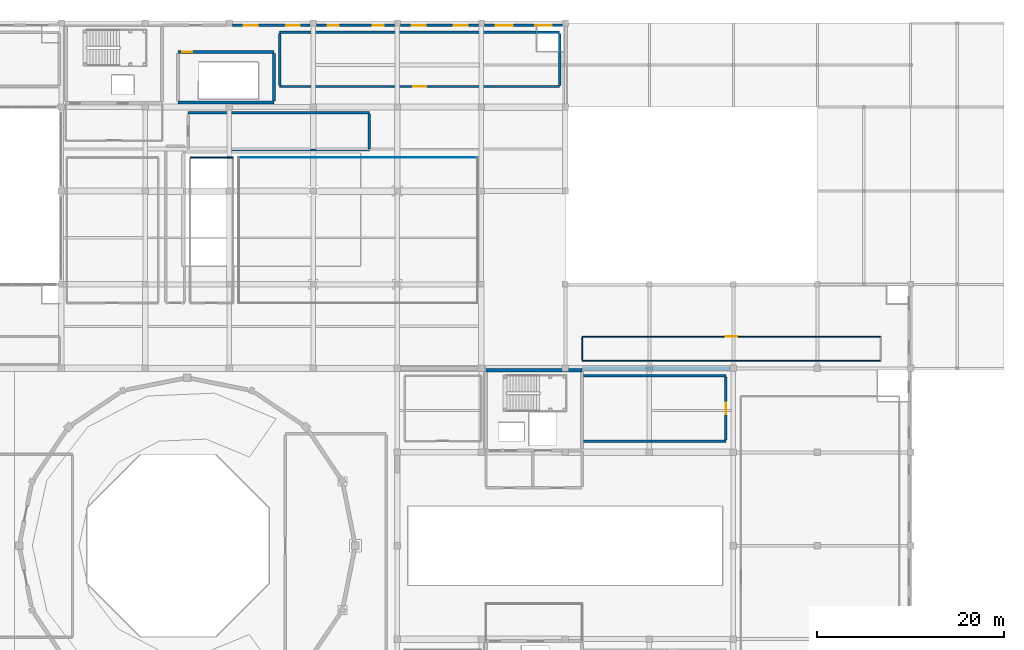
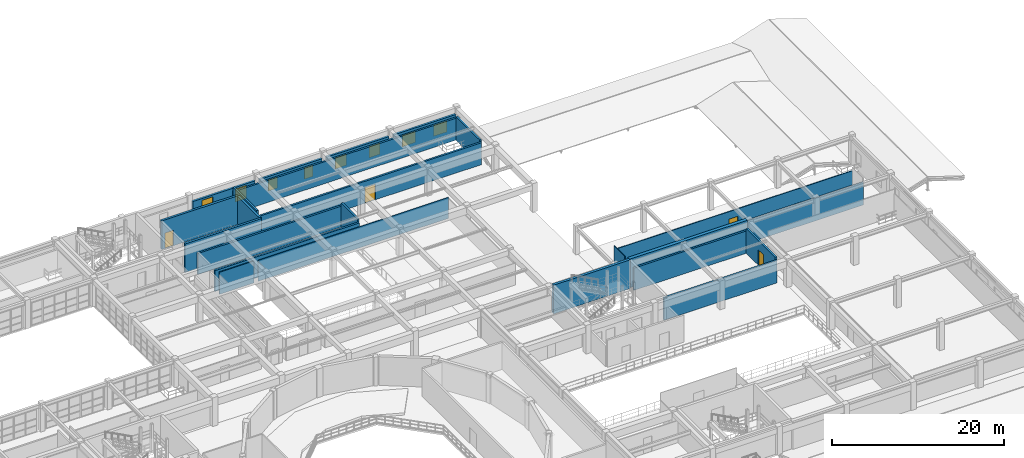
# One storey, part 99 of 110: 24 walls, 8 windows, 4 doors, 12 openings.
"""IFC4 building model written with IfcOpenShell, lengths in metres."""

import ifcopenshell
import ifcopenshell.guid

model = None  # the IFC model being written
_history = None  # IfcOwnerHistory: only IFC2X3 demands one
_inside = {}  # id of a spatial element -> (the spatial element, [elements in it])
_under = {}  # id of a project, library or spatial element -> (it, [spatial elements below it])
_declared = {}  # id of a project -> (the project, [libraries it declares])
_typed = {}  # id of a type object -> (the type object, [elements of that type])
_made_of = {}  # id of a material, layer set ... -> (it, [elements and type objects made of it])


def new_model(schema):
    """Start an empty IFC model of exactly this schema.

    Asked for "IFC4X3", IfcOpenShell would pick the latest addendum, in which some entities
    have other attributes; the version numbers below select the first issue.
    IFC2X3 requires an IfcOwnerHistory on every rooted entity: one is made here for all.
    """
    global model, _history
    if schema == "IFC4X3":
        model = ifcopenshell.file(schema_version=(4, 3, 0, 0))
    else:
        model = ifcopenshell.file(schema=schema)
    _inside.clear()
    _under.clear()
    _declared.clear()
    _typed.clear()
    _made_of.clear()
    _history = None
    if model.schema == "IFC2X3":
        org = make("IfcOrganization", Name="unknown")
        user = make(
            "IfcPersonAndOrganization",
            ThePerson=make("IfcPerson", FamilyName="unknown"),
            TheOrganization=org,
        )
        app = make(
            "IfcApplication",
            ApplicationDeveloper=org,
            Version="unknown",
            ApplicationFullName="unknown",
            ApplicationIdentifier="unknown",
        )
        _history = make(
            "IfcOwnerHistory",
            OwningUser=user,
            OwningApplication=app,
            ChangeAction="ADDED",
            CreationDate=0,
        )
    return model


def make(cls, **values):
    """One entity of the class cls with the attributes given. An attribute that is None is left unset."""
    return model.create_entity(
        cls, **{name: value for name, value in values.items() if value is not None}
    )


def rooted(cls, **values):
    """An entity with a GlobalId (a new one), such as an element, a storey or a relation."""
    return make(cls, GlobalId=ifcopenshell.guid.new(), OwnerHistory=_history, **values)


def si_unit(unit_type, name, prefix=None):
    """IfcSIUnit, for example si_unit("LENGTHUNIT", "METRE", prefix="MILLI")."""
    return make("IfcSIUnit", UnitType=unit_type, Prefix=prefix, Name=name)


def assignment(units):
    """IfcUnitAssignment: the units of a project."""
    return None if units is None else make("IfcUnitAssignment", Units=units)


def point(xyz):
    """IfcCartesianPoint."""
    return None if xyz is None else make("IfcCartesianPoint", Coordinates=xyz)


def direction(xyz):
    """IfcDirection."""
    return None if xyz is None else make("IfcDirection", DirectionRatios=xyz)


def frame(location, z_axis=None, x_axis=None):
    """IfcAxis2Placement3D, a coordinate frame: its origin and axes. An axis left out is left unset."""
    return make(
        "IfcAxis2Placement3D",
        Location=point(location),
        Axis=direction(z_axis),
        RefDirection=direction(x_axis),
    )


def frame_2d(location, x_axis=None):
    """IfcAxis2Placement2D, a coordinate frame in the plane: its origin and x axis."""
    return make(
        "IfcAxis2Placement2D", Location=point(location), RefDirection=direction(x_axis)
    )


def origin():
    """The frame at (0, 0, 0) with its axes left unset."""
    return frame((0.0, 0.0, 0.0))


def place(relative_to, where):
    """IfcLocalPlacement: puts the frame where relative to a parent placement (None: the world)."""
    return make(
        "IfcLocalPlacement", PlacementRelTo=relative_to, RelativePlacement=where
    )


def context(
    kind, dimensions, precision=None, world=None, true_north=None, identifier=None
):
    """IfcGeometricRepresentationContext, for example the 3D "Model" context."""
    return make(
        "IfcGeometricRepresentationContext",
        ContextIdentifier=identifier,
        ContextType=kind,
        CoordinateSpaceDimension=dimensions,
        Precision=precision,
        WorldCoordinateSystem=world,
        TrueNorth=true_north,
    )


def subcontext(parent, identifier, kind, view, scale=None):
    """IfcGeometricRepresentationSubContext, for example "Body" below "Model"."""
    return make(
        "IfcGeometricRepresentationSubContext",
        ContextIdentifier=identifier,
        ContextType=kind,
        ParentContext=parent,
        TargetScale=scale,
        TargetView=view,
    )


def project(units=None, contexts=None):
    """IfcProject with its units and contexts."""
    return rooted(
        "IfcProject",
        Name="project",
        RepresentationContexts=contexts,
        UnitsInContext=assignment(units),
    )


def spatial(cls, under=None, at=None, **own):
    """A site, building, storey or space (cls), placed at a placement, below another one or the project."""
    s = rooted(cls, ObjectPlacement=at, **own)
    if under is not None:
        _under.setdefault(under.id(), (under, []))[1].append(s)
    return s


def profile(cls, at=None, kind="AREA", **sizes):
    """A parametric profile (cls). Its sizes go by their IFC names, for example OverallWidth=200.0."""
    return make(cls, ProfileType=kind, Position=at, **sizes)


def rectangle(**sizes):
    """IfcRectangleProfileDef."""
    return profile("IfcRectangleProfileDef", **sizes)


def extrude(swept, where, along, depth):
    """IfcExtrudedAreaSolid: the profile swept, set in the frame where, extruded along a direction by depth."""
    return make(
        "IfcExtrudedAreaSolid",
        SweptArea=swept,
        Position=where,
        ExtrudedDirection=direction(along),
        Depth=depth,
    )


def shape(context_of_items, identifier, shape_type, items):
    """IfcShapeRepresentation: the items that make up one representation, for example the "Body"."""
    return make(
        "IfcShapeRepresentation",
        ContextOfItems=context_of_items,
        RepresentationIdentifier=identifier,
        RepresentationType=shape_type,
        Items=items,
    )


def material(Name=None, Category=None):
    """IfcMaterial."""
    return make("IfcMaterial", Name=Name, Category=Category)


def layer(
    of_material, thickness, ventilated=None, Name=None, Category=None, Priority=None
):
    """IfcMaterialLayer: one layer of a wall or slab, of a material (None: an air gap)."""
    return make(
        "IfcMaterialLayer",
        Material=of_material,
        LayerThickness=thickness,
        IsVentilated=ventilated,
        Name=Name,
        Category=Category,
        Priority=Priority,
    )


def layer_set(layers, Name=None):
    """IfcMaterialLayerSet."""
    return make("IfcMaterialLayerSet", MaterialLayers=layers, LayerSetName=Name)


def made_of(thing, what):
    """Note that an element or type object is made of a material, layer set ...; save() writes the relation."""
    if what is not None:
        _made_of.setdefault(what.id(), (what, []))[1].append(thing)
    return thing


def type_object(cls, material=None, **own):
    """A type object (cls), such as IfcWallType, which elements share."""
    return made_of(rooted(cls, **own), material)


def element(
    cls,
    number,
    at=None,
    inside=None,
    cuts=None,
    type_object=None,
    material=None,
    context=None,
    identifier="Body",
    shape_type=None,
    held_by="IfcProductDefinitionShape",
    body=None,
    shapes=None,
    **own,
):
    """One element of the class cls, such as IfcWall. Its Tag is "e" and its number.

    at: its placement. inside: the storey or other place that contains it. cuts: it is an
    opening in that element (IfcRelVoidsElement). A single representation is given by context,
    identifier, shape_type and body (its items); several are given by shapes. held_by: the class
    of the entity that holds the representations. save() writes the other relations.
    """
    e = rooted(cls, Tag="e%d" % number, ObjectPlacement=at, **own)
    if body is not None:
        shapes = [shape(context, identifier, shape_type, body)]
    if shapes is not None:
        e.Representation = make(held_by, Representations=shapes)
    if inside is not None:
        _inside.setdefault(inside.id(), (inside, []))[1].append(e)
    if cuts is not None:
        rooted(
            "IfcRelVoidsElement", RelatingBuildingElement=cuts, RelatedOpeningElement=e
        )
    if type_object is not None:
        _typed.setdefault(type_object.id(), (type_object, []))[1].append(e)
    return made_of(e, material)


def fill(opening, filler):
    """IfcRelFillsElement: the door or window that sits in an opening."""
    return rooted(
        "IfcRelFillsElement",
        RelatingOpeningElement=opening,
        RelatedBuildingElement=filler,
    )


def aggregate(whole, parts):
    """IfcRelAggregates: a whole, such as a stair, and the parts it consists of."""
    return rooted("IfcRelAggregates", RelatingObject=whole, RelatedObjects=parts)


def save(model, path):
    """Write the relations noted so far, then the file.

    IfcRelAggregates (storeys below a building ...), IfcRelContainedInSpatialStructure (elements
    in a storey), IfcRelDefinesByType, IfcRelAssociatesMaterial and IfcRelDeclares: one each for
    every whole, place, type object, material and project.
    """
    for whole, parts in _under.values():
        aggregate(whole, parts)
    for where, things in _inside.values():
        rooted(
            "IfcRelContainedInSpatialStructure",
            RelatedElements=things,
            RelatingStructure=where,
        )
    for kind, things in _typed.values():
        rooted("IfcRelDefinesByType", RelatedObjects=things, RelatingType=kind)
    for what, things in _made_of.values():
        rooted("IfcRelAssociatesMaterial", RelatedObjects=things, RelatingMaterial=what)
    for by, libraries in _declared.values():
        rooted("IfcRelDeclares", RelatingContext=by, RelatedDefinitions=libraries)
    model.write(path)


model = new_model("IFC4")

# Units and contexts
model_context = context("Model", 3, precision=1e-05, world=origin(), true_north=direction((0.0, 1.0)))
body_context = subcontext(model_context, "Body", "Model", "MODEL_VIEW")
ifc_project = project(units=[si_unit("LENGTHUNIT", "METRE"), si_unit("AREAUNIT", "SQUARE_METRE"), si_unit("VOLUMEUNIT", "CUBIC_METRE"), si_unit("PLANEANGLEUNIT", "RADIAN"), si_unit("MASSUNIT", "GRAM", prefix="KILO")], contexts=[model_context])

# Site, building, storey
site_placement = place(None, origin())
site = spatial("IfcSite", under=ifc_project, at=site_placement, CompositionType="ELEMENT")
building_placement = place(site_placement, origin())
building = spatial("IfcBuilding", under=site, at=building_placement, Name="Miravela Opera House", CompositionType="ELEMENT")
storey_placement = place(building_placement, frame((0.0, 0.0, 13.60009765625)))
storey = spatial("IfcBuildingStorey", under=building, at=storey_placement, Name="L03", CompositionType="ELEMENT", Elevation=13.60009765625)

# Wall, openings, windows
ifc_material_1 = material(Name="Insulated cream lime-stuccoed masonry", Category="masonry")
ifc_layer_1 = layer(ifc_material_1, 0.2900390625)
ifc_layer_set_1 = layer_set([ifc_layer_1])
wall_type_1 = type_object("IfcWallType", Name="ARC-EW-STUCCO-290", PredefinedType="STANDARD", material=ifc_layer_set_1)
wall_1_placement = place(storey_placement, frame((81.324951171875, 111.75, 0.0), z_axis=(0.0, 0.0, 1.0), x_axis=(1.0, 0.0, 0.0)))
wall_1 = element("IfcWall", 1, at=wall_1_placement, inside=storey, type_object=wall_type_1, Name="Spanish Colonial Stucco Facade Wall L03-039", PredefinedType="STANDARD", context=body_context, shape_type="SweptSolid", body=[
    extrude(rectangle(XDim=8.35009765625, YDim=0.2900390625, at=frame_2d((4.175048828125, 0.0))), origin(), (0.0, 0.0, 1.0), 3.06982421875),
])
opening_1_placement = place(wall_1_placement, frame((1.22509765625, 0.0, 0.89990234375)))
opening_1 = element("IfcOpeningElement", 2, at=opening_1_placement, cuts=wall_1, Name="Opening W-36", PredefinedType="OPENING", context=body_context, shape_type="SweptSolid", body=[
    extrude(rectangle(XDim=1.47998046875, YDim=1.89990234375, at=frame_2d((0.739990234375, 0.949951171875))), frame((0.0, 0.155029296875, 0.0), z_axis=(0.0, -1.0, 0.0), x_axis=(1.0, 0.0, 0.0)), (0.0, 0.0, 1.0), 0.31005859375),
])
opening_2_placement = place(wall_1_placement, frame((5.77001953125, 0.0, 0.89990234375)))
opening_2 = element("IfcOpeningElement", 3, at=opening_2_placement, cuts=wall_1, Name="Opening W-36", PredefinedType="OPENING", context=body_context, shape_type="SweptSolid", body=[
    extrude(rectangle(XDim=1.47998046875, YDim=1.89990234375, at=frame_2d((0.739990234375, 0.949951171875))), frame((0.0, 0.155029296875, 0.0), z_axis=(0.0, -1.0, 0.0), x_axis=(1.0, 0.0, 0.0)), (0.0, 0.0, 1.0), 0.31005859375),
])
ifc_material_2 = material(Name="Bronze-anodised aluminium and acoustic low-E glass", Category="aluminium")
window_type_1 = type_object("IfcWindowType", Name="ARC-WIN-36", PartitioningType="DOUBLE_PANEL_VERTICAL", PredefinedType="WINDOW", material=ifc_material_2)
window_1_placement = place(opening_1_placement, origin())
window_1 = element("IfcWindow", 4, at=window_1_placement, inside=storey, type_object=window_type_1, Name="Window W-36 #098", OverallHeight=1.89990234375, OverallWidth=1.47998046875, PartitioningType="DOUBLE_PANEL_VERTICAL", PredefinedType="WINDOW", context=body_context, shape_type="SweptSolid", body=[
    extrude(rectangle(XDim=1.47998046875, YDim=1.89990234375, at=frame_2d((0.739990234375, 0.949951171875))), frame((0.0, 0.030029296875, 0.0), z_axis=(0.0, -1.0, 0.0), x_axis=(1.0, 0.0, 0.0)), (0.0, 0.0, 1.0), 0.06005859375),
])
fill(opening_1, window_1)
window_2_placement = place(opening_2_placement, origin())
window_2 = element("IfcWindow", 5, at=window_2_placement, inside=storey, type_object=window_type_1, Name="Window W-36 #099", OverallHeight=1.89990234375, OverallWidth=1.47998046875, PartitioningType="DOUBLE_PANEL_VERTICAL", PredefinedType="WINDOW", context=body_context, shape_type="SweptSolid", body=[
    extrude(rectangle(XDim=1.47998046875, YDim=1.89990234375, at=frame_2d((0.739990234375, 0.949951171875))), frame((0.0, 0.030029296875, 0.0), z_axis=(0.0, -1.0, 0.0), x_axis=(1.0, 0.0, 0.0)), (0.0, 0.0, 1.0), 0.06005859375),
])
fill(opening_2, window_2)

wall_2_placement = place(storey_placement, frame((90.324951171875, 111.75, 0.0), z_axis=(0.0, 0.0, 1.0), x_axis=(1.0, 0.0, 0.0)))
wall_2 = element("IfcWall", 6, at=wall_2_placement, inside=storey, type_object=wall_type_1, Name="Spanish Colonial Stucco Facade Wall L03-040", PredefinedType="STANDARD", context=body_context, shape_type="SweptSolid", body=[
    extrude(rectangle(XDim=8.35009765625, YDim=0.2900390625, at=frame_2d((4.175048828125, 0.0))), origin(), (0.0, 0.0, 1.0), 3.06982421875),
])
opening_3_placement = place(wall_2_placement, frame((1.22509765625, 0.0, 0.89990234375)))
opening_3 = element("IfcOpeningElement", 7, at=opening_3_placement, cuts=wall_2, Name="Opening W-11", PredefinedType="OPENING", context=body_context, shape_type="SweptSolid", body=[
    extrude(rectangle(XDim=1.199951171875, YDim=1.60009765625, at=frame_2d((0.60009765625, 0.800048828125))), frame((0.0, 0.155029296875, 0.0), z_axis=(0.0, -1.0, 0.0), x_axis=(1.0, 0.0, 0.0)), (0.0, 0.0, 1.0), 0.31005859375),
])
opening_4_placement = place(wall_2_placement, frame((6.050048828125, 0.0, 0.89990234375)))
opening_4 = element("IfcOpeningElement", 8, at=opening_4_placement, cuts=wall_2, Name="Opening W-11", PredefinedType="OPENING", context=body_context, shape_type="SweptSolid", body=[
    extrude(rectangle(XDim=1.199951171875, YDim=1.60009765625, at=frame_2d((0.60009765625, 0.800048828125))), frame((0.0, 0.155029296875, 0.0), z_axis=(0.0, -1.0, 0.0), x_axis=(1.0, 0.0, 0.0)), (0.0, 0.0, 1.0), 0.31005859375),
])
window_type_2 = type_object("IfcWindowType", Name="ARC-WIN-11", PartitioningType="SINGLE_PANEL", PredefinedType="WINDOW", material=ifc_material_2)
window_3_placement = place(opening_3_placement, origin())
window_3 = element("IfcWindow", 9, at=window_3_placement, inside=storey, type_object=window_type_2, Name="Window W-11 #100", OverallHeight=1.60009765625, OverallWidth=1.199951171875, PartitioningType="SINGLE_PANEL", PredefinedType="WINDOW", context=body_context, shape_type="SweptSolid", body=[
    extrude(rectangle(XDim=1.199951171875, YDim=1.60009765625, at=frame_2d((0.60009765625, 0.800048828125))), frame((0.0, 0.030029296875, 0.0), z_axis=(0.0, -1.0, 0.0), x_axis=(1.0, 0.0, 0.0)), (0.0, 0.0, 1.0), 0.06005859375),
])
fill(opening_3, window_3)
window_4_placement = place(opening_4_placement, origin())
window_4 = element("IfcWindow", 10, at=window_4_placement, inside=storey, type_object=window_type_2, Name="Window W-11 #101", OverallHeight=1.60009765625, OverallWidth=1.199951171875, PartitioningType="SINGLE_PANEL", PredefinedType="WINDOW", context=body_context, shape_type="SweptSolid", body=[
    extrude(rectangle(XDim=1.199951171875, YDim=1.60009765625, at=frame_2d((0.60009765625, 0.800048828125))), frame((0.0, 0.030029296875, 0.0), z_axis=(0.0, -1.0, 0.0), x_axis=(1.0, 0.0, 0.0)), (0.0, 0.0, 1.0), 0.06005859375),
])
fill(opening_4, window_4)

wall_3_placement = place(storey_placement, frame((99.324951171875, 111.75, 0.0), z_axis=(0.0, 0.0, 1.0), x_axis=(1.0, 0.0, 0.0)))
wall_3 = element("IfcWall", 11, at=wall_3_placement, inside=storey, type_object=wall_type_1, Name="Spanish Colonial Stucco Facade Wall L03-041", PredefinedType="STANDARD", context=body_context, shape_type="SweptSolid", body=[
    extrude(rectangle(XDim=8.35009765625, YDim=0.2900390625, at=frame_2d((4.175048828125, 0.0))), origin(), (0.0, 0.0, 1.0), 3.06982421875),
])
opening_5_placement = place(wall_3_placement, frame((1.22509765625, 0.0, 0.89990234375)))
opening_5 = element("IfcOpeningElement", 12, at=opening_5_placement, cuts=wall_3, Name="Opening W-12", PredefinedType="OPENING", context=body_context, shape_type="SweptSolid", body=[
    extrude(rectangle(XDim=1.5, YDim=1.60009765625, at=frame_2d((0.75, 0.800048828125))), frame((0.0, 0.155029296875, 0.0), z_axis=(0.0, -1.0, 0.0), x_axis=(1.0, 0.0, 0.0)), (0.0, 0.0, 1.0), 0.31005859375),
])
opening_6_placement = place(wall_3_placement, frame((5.75, 0.0, 0.89990234375)))
opening_6 = element("IfcOpeningElement", 13, at=opening_6_placement, cuts=wall_3, Name="Opening W-12", PredefinedType="OPENING", context=body_context, shape_type="SweptSolid", body=[
    extrude(rectangle(XDim=1.5, YDim=1.60009765625, at=frame_2d((0.75, 0.800048828125))), frame((0.0, 0.155029296875, 0.0), z_axis=(0.0, -1.0, 0.0), x_axis=(1.0, 0.0, 0.0)), (0.0, 0.0, 1.0), 0.31005859375),
])
window_type_3 = type_object("IfcWindowType", Name="ARC-WIN-12", PartitioningType="DOUBLE_PANEL_VERTICAL", PredefinedType="WINDOW", material=ifc_material_2)
window_5_placement = place(opening_5_placement, origin())
window_5 = element("IfcWindow", 14, at=window_5_placement, inside=storey, type_object=window_type_3, Name="Window W-12 #102", OverallHeight=1.60009765625, OverallWidth=1.5, PartitioningType="DOUBLE_PANEL_VERTICAL", PredefinedType="WINDOW", context=body_context, shape_type="SweptSolid", body=[
    extrude(rectangle(XDim=1.5, YDim=1.60009765625, at=frame_2d((0.75, 0.800048828125))), frame((0.0, 0.030029296875, 0.0), z_axis=(0.0, -1.0, 0.0), x_axis=(1.0, 0.0, 0.0)), (0.0, 0.0, 1.0), 0.06005859375),
])
fill(opening_5, window_5)
window_6_placement = place(opening_6_placement, origin())
window_6 = element("IfcWindow", 15, at=window_6_placement, inside=storey, type_object=window_type_3, Name="Window W-12 #103", OverallHeight=1.60009765625, OverallWidth=1.5, PartitioningType="DOUBLE_PANEL_VERTICAL", PredefinedType="WINDOW", context=body_context, shape_type="SweptSolid", body=[
    extrude(rectangle(XDim=1.5, YDim=1.60009765625, at=frame_2d((0.75, 0.800048828125))), frame((0.0, 0.030029296875, 0.0), z_axis=(0.0, -1.0, 0.0), x_axis=(1.0, 0.0, 0.0)), (0.0, 0.0, 1.0), 0.06005859375),
])
fill(opening_6, window_6)

wall_4_placement = place(storey_placement, frame((108.324951171875, 111.75, 0.0), z_axis=(0.0, 0.0, 1.0), x_axis=(1.0, 0.0, 0.0)))
wall_4 = element("IfcWall", 16, at=wall_4_placement, inside=storey, type_object=wall_type_1, Name="Spanish Colonial Stucco Facade Wall L03-042", PredefinedType="STANDARD", context=body_context, shape_type="SweptSolid", body=[
    extrude(rectangle(XDim=8.35009765625, YDim=0.2900390625, at=frame_2d((4.175048828125, 0.0))), origin(), (0.0, 0.0, 1.0), 3.06982421875),
])
opening_7_placement = place(wall_4_placement, frame((1.22509765625, 0.0, 0.89990234375)))
opening_7 = element("IfcOpeningElement", 17, at=opening_7_placement, cuts=wall_4, Name="Opening W-13", PredefinedType="OPENING", context=body_context, shape_type="SweptSolid", body=[
    extrude(rectangle(XDim=1.800048828125, YDim=1.60009765625, at=frame_2d((0.89990234375, 0.800048828125))), frame((0.0, 0.155029296875, 0.0), z_axis=(0.0, -1.0, 0.0), x_axis=(1.0, 0.0, 0.0)), (0.0, 0.0, 1.0), 0.31005859375),
])
opening_8_placement = place(wall_4_placement, frame((5.449951171875, 0.0, 0.89990234375)))
opening_8 = element("IfcOpeningElement", 18, at=opening_8_placement, cuts=wall_4, Name="Opening W-13", PredefinedType="OPENING", context=body_context, shape_type="SweptSolid", body=[
    extrude(rectangle(XDim=1.800048828125, YDim=1.60009765625, at=frame_2d((0.89990234375, 0.800048828125))), frame((0.0, 0.155029296875, 0.0), z_axis=(0.0, -1.0, 0.0), x_axis=(1.0, 0.0, 0.0)), (0.0, 0.0, 1.0), 0.31005859375),
])
window_type_4 = type_object("IfcWindowType", Name="ARC-WIN-13", PartitioningType="DOUBLE_PANEL_VERTICAL", PredefinedType="WINDOW", material=ifc_material_2)
window_7_placement = place(opening_7_placement, origin())
window_7 = element("IfcWindow", 19, at=window_7_placement, inside=storey, type_object=window_type_4, Name="Window W-13 #104", OverallHeight=1.60009765625, OverallWidth=1.800048828125, PartitioningType="DOUBLE_PANEL_VERTICAL", PredefinedType="WINDOW", context=body_context, shape_type="SweptSolid", body=[
    extrude(rectangle(XDim=1.800048828125, YDim=1.60009765625, at=frame_2d((0.89990234375, 0.800048828125))), frame((0.0, 0.030029296875, 0.0), z_axis=(0.0, -1.0, 0.0), x_axis=(1.0, 0.0, 0.0)), (0.0, 0.0, 1.0), 0.06005859375),
])
fill(opening_7, window_7)
window_8_placement = place(opening_8_placement, origin())
window_8 = element("IfcWindow", 20, at=window_8_placement, inside=storey, type_object=window_type_4, Name="Window W-13 #105", OverallHeight=1.60009765625, OverallWidth=1.800048828125, PartitioningType="DOUBLE_PANEL_VERTICAL", PredefinedType="WINDOW", context=body_context, shape_type="SweptSolid", body=[
    extrude(rectangle(XDim=1.800048828125, YDim=1.60009765625, at=frame_2d((0.89990234375, 0.800048828125))), frame((0.0, 0.030029296875, 0.0), z_axis=(0.0, -1.0, 0.0), x_axis=(1.0, 0.0, 0.0)), (0.0, 0.0, 1.0), 0.06005859375),
])
fill(opening_8, window_8)

# Walls
ifc_material_3 = material(Name="Acoustic metal-stud gypsum partition")
ifc_layer_2 = layer(ifc_material_3, 0.090087890625)
ifc_layer_set_2 = layer_set([ifc_layer_2])
wall_type_2 = type_object("IfcWallType", Name="ARC-PT-090", PredefinedType="PARTITIONING", material=ifc_layer_set_2)
wall_5_placement = place(storey_placement, frame((82.0, 97.60009765625, 0.0), z_axis=(0.0, 0.0, 1.0), x_axis=(1.0, 0.0, 0.0)))
element("IfcWall", 21, at=wall_5_placement, inside=storey, type_object=wall_type_2, Name="Music Repertoire Library and Reading Hall Partition North", PredefinedType="PARTITIONING", context=body_context, shape_type="SweptSolid", body=[
    extrude(rectangle(XDim=25.60009765625, YDim=0.090087890625, at=frame_2d((12.800048828125, 0.0))), origin(), (0.0, 0.0, 1.0), 2.969970703125),
])
ifc_material_4 = material(Name="Double-layer acoustic gypsum partition")
ifc_layer_3 = layer(ifc_material_4, 0.110107421875)
ifc_layer_set_3 = layer_set([ifc_layer_3])
wall_type_3 = type_object("IfcWallType", Name="ARC-PT-110", PredefinedType="PARTITIONING", material=ifc_layer_set_3)
wall_6_placement = place(storey_placement, frame((118.800048828125, 75.800048828125, 0.0), z_axis=(0.0, 0.0, 1.0), x_axis=(1.0, 0.0, 0.0)))
element("IfcWall", 22, at=wall_6_placement, inside=storey, type_object=wall_type_3, Name="Orchestra Ensemble Practice Suite Partition South", PredefinedType="PARTITIONING", context=body_context, shape_type="SweptSolid", body=[
    extrude(rectangle(XDim=32.0, YDim=0.110107421875, at=frame_2d((16.0, 0.0))), origin(), (0.0, 0.0, 1.0), 3.27685546875),
])

# Wall, opening, door
wall_7_placement = place(storey_placement, frame((118.800048828125, 78.39990234375, 0.0), z_axis=(0.0, 0.0, 1.0), x_axis=(1.0, 0.0, 0.0)))
wall_7 = element("IfcWall", 23, at=wall_7_placement, inside=storey, type_object=wall_type_3, Name="Orchestra Ensemble Practice Suite Partition North", PredefinedType="PARTITIONING", context=body_context, shape_type="SweptSolid", body=[
    extrude(rectangle(XDim=32.0, YDim=0.110107421875, at=frame_2d((16.0, 0.0))), origin(), (0.0, 0.0, 1.0), 3.27685546875),
])
opening_9_placement = place(wall_7_placement, frame((15.39990234375, 0.0, 0.0)))
opening_9 = element("IfcOpeningElement", 24, at=opening_9_placement, cuts=wall_7, Name="Opening ID-04", PredefinedType="OPENING", context=body_context, shape_type="SweptSolid", body=[
    extrude(rectangle(XDim=1.199951171875, YDim=2.199951171875, at=frame_2d((0.60009765625, 1.10009765625))), frame((0.0, 0.06494140625, 0.0), z_axis=(0.0, -1.0, 0.0), x_axis=(1.0, 0.0, 0.0)), (0.0, 0.0, 1.0), 0.130126953125),
])
ifc_material_5 = material(Name="Wide acoustic ensemble door")
door_type_1 = type_object("IfcDoorType", Name="ARC-DR-1200X2200", OperationType="NOTDEFINED", PredefinedType="DOOR", material=ifc_material_5)
door_1_placement = place(opening_9_placement, origin())
door_1 = element("IfcDoor", 25, at=door_1_placement, inside=storey, type_object=door_type_1, Name="Orchestra Ensemble Practice Suite Entry Door IDR-L03-0277", OperationType="SINGLE_SWING_LEFT", OverallHeight=2.199951171875, OverallWidth=1.199951171875, PredefinedType="DOOR", context=body_context, shape_type="SweptSolid", body=[
    extrude(rectangle(XDim=1.199951171875, YDim=2.199951171875, at=frame_2d((0.60009765625, 1.10009765625))), frame((0.0, 0.02490234375, 0.0), z_axis=(0.0, -1.0, 0.0), x_axis=(1.0, 0.0, 0.0)), (0.0, 0.0, 1.0), 0.050048828125),
])
fill(opening_9, door_1)

# Walls
wall_8_placement = place(storey_placement, frame((118.800048828125, 75.85498046875, 0.0), z_axis=(0.0, 0.0, 1.0), x_axis=(0.0, 1.0, 0.0)))
element("IfcWall", 26, at=wall_8_placement, inside=storey, type_object=wall_type_3, Name="Orchestra Ensemble Practice Suite Partition West", PredefinedType="PARTITIONING", context=body_context, shape_type="SweptSolid", body=[
    extrude(rectangle(XDim=2.489990234375, YDim=0.110107421875, at=frame_2d((1.2451171875, 0.0))), origin(), (0.0, 0.0, 1.0), 3.83984375),
])
ifc_material_6 = material(Name="Fire-rated acoustic gypsum partition")
ifc_layer_4 = layer(ifc_material_6, 0.1298828125)
ifc_layer_set_4 = layer_set([ifc_layer_4])
wall_type_4 = type_object("IfcWallType", Name="ARC-PT-130", PredefinedType="PARTITIONING", material=ifc_layer_set_4)
wall_9_placement = place(storey_placement, frame((76.800048828125, 97.60009765625, 0.0), z_axis=(0.0, 0.0, 1.0), x_axis=(1.0, 0.0, 0.0)))
element("IfcWall", 27, at=wall_9_placement, inside=storey, type_object=wall_type_4, Name="Costume Textile Archive Room Partition North", PredefinedType="PARTITIONING", context=body_context, shape_type="SweptSolid", body=[
    extrude(rectangle(XDim=4.599853515625, YDim=0.1298828125, at=frame_2d((2.2998046875, 0.0))), origin(), (0.0, 0.0, 1.0), 3.119873046875),
])
ifc_material_7 = material(Name="Firefighting lobby compartment wall")
ifc_layer_5 = layer(ifc_material_7, 0.25)
ifc_layer_set_5 = layer_set([ifc_layer_5])
wall_type_5 = type_object("IfcWallType", Name="ARC-PT-220", PredefinedType="PARTITIONING", material=ifc_layer_set_5)
for number, where, z_axis, x_axis, name in (
    (28, (118.97509765625, 67.199951171875, 0.0), (0.0, 0.0, 1.0), (1.0, 0.0, 0.0), "Stage Fly Counterweight Gallery L03 Partition South"),
    (29, (118.97509765625, 74.199951171875, 0.0), (0.0, 0.0, 1.0), (1.0, 0.0, 0.0), "Stage Fly Counterweight Gallery L03 Partition North"),
):
    element("IfcWall", number, at=place(storey_placement, frame(where, z_axis=z_axis, x_axis=x_axis)), inside=storey, type_object=wall_type_5, Name=name, PredefinedType="PARTITIONING", context=body_context, shape_type="SweptSolid", body=[
        extrude(rectangle(XDim=15.224853515625, YDim=0.25, at=frame_2d((7.6123046875, 0.0))), origin(), (0.0, 0.0, 1.0), 3.169921875),
    ])

# Wall, opening, door
wall_10_placement = place(storey_placement, frame((134.199951171875, 67.324951171875, 0.0), z_axis=(0.0, 0.0, 1.0), x_axis=(0.0, 1.0, 0.0)))
wall_10 = element("IfcWall", 30, at=wall_10_placement, inside=storey, type_object=wall_type_5, Name="Stage Fly Counterweight Gallery L03 Partition East", PredefinedType="PARTITIONING", context=body_context, shape_type="SweptSolid", body=[
    extrude(rectangle(XDim=6.75, YDim=0.25, at=frame_2d((3.375, 0.0))), origin(), (0.0, 0.0, 1.0), 3.516845703125),
])
opening_10_placement = place(wall_10_placement, frame((2.77490234375, 0.0, 0.0)))
opening_10 = element("IfcOpeningElement", 31, at=opening_10_placement, cuts=wall_10, Name="Opening FD-02", PredefinedType="OPENING", context=body_context, shape_type="SweptSolid", body=[
    extrude(rectangle(XDim=1.199951171875, YDim=2.199951171875, at=frame_2d((0.60009765625, 1.10009765625))), frame((0.0, 0.135009765625, 0.0), z_axis=(0.0, -1.0, 0.0), x_axis=(1.0, 0.0, 0.0)), (0.0, 0.0, 1.0), 0.27001953125),
])
ifc_material_8 = material(Name="Fire-rated gallery/plant exit door")
door_type_2 = type_object("IfcDoorType", Name="ARC-FD-1200X2200", OperationType="NOTDEFINED", PredefinedType="DOOR", material=ifc_material_8)
door_2_placement = place(opening_10_placement, origin())
door_2 = element("IfcDoor", 32, at=door_2_placement, inside=storey, type_object=door_type_2, Name="Stage Fly Counterweight Gallery L03 Entry Door IDR-L03-0272", OperationType="SINGLE_SWING_LEFT", OverallHeight=2.199951171875, OverallWidth=1.199951171875, PredefinedType="DOOR", context=body_context, shape_type="SweptSolid", body=[
    extrude(rectangle(XDim=1.199951171875, YDim=2.199951171875, at=frame_2d((0.60009765625, 1.10009765625))), frame((0.0, 0.02490234375, 0.0), z_axis=(0.0, -1.0, 0.0), x_axis=(1.0, 0.0, 0.0)), (0.0, 0.0, 1.0), 0.050048828125),
])
fill(opening_10, door_2)

wall_11_placement = place(storey_placement, frame((86.39990234375, 105.199951171875, 0.0), z_axis=(0.0, 0.0, 1.0), x_axis=(1.0, 0.0, 0.0)))
wall_11 = element("IfcWall", 33, at=wall_11_placement, inside=storey, type_object=wall_type_5, Name="Resident Composer Studio Partition South", PredefinedType="PARTITIONING", context=body_context, shape_type="SweptSolid", body=[
    extrude(rectangle(XDim=30.0, YDim=0.25, at=frame_2d((15.0, 0.0))), origin(), (0.0, 0.0, 1.0), 3.119873046875),
])
opening_11_placement = place(wall_11_placement, frame((14.300048828125, 0.0, 0.0)))
opening_11 = element("IfcOpeningElement", 34, at=opening_11_placement, cuts=wall_11, Name="Opening ID-05", PredefinedType="OPENING", context=body_context, shape_type="SweptSolid", body=[
    extrude(rectangle(XDim=1.39990234375, YDim=2.199951171875, at=frame_2d((0.699951171875, 1.10009765625))), frame((0.0, 0.135009765625, 0.0), z_axis=(0.0, -1.0, 0.0), x_axis=(1.0, 0.0, 0.0)), (0.0, 0.0, 1.0), 0.27001953125),
])
ifc_material_9 = material(Name="Double-leaf glazed mahogany salon door")
door_type_3 = type_object("IfcDoorType", Name="ARC-DR-1400X2200", OperationType="NOTDEFINED", PredefinedType="DOOR", material=ifc_material_9)
door_3_placement = place(opening_11_placement, origin())
door_3 = element("IfcDoor", 35, at=door_3_placement, inside=storey, type_object=door_type_3, Name="Resident Composer Studio Entry Door IDR-L03-0284", OperationType="DOUBLE_DOOR_SINGLE_SWING", OverallHeight=2.199951171875, OverallWidth=1.39990234375, PredefinedType="DOOR", context=body_context, shape_type="SweptSolid", body=[
    extrude(rectangle(XDim=1.39990234375, YDim=2.199951171875, at=frame_2d((0.699951171875, 1.10009765625))), frame((0.0, 0.02490234375, 0.0), z_axis=(0.0, -1.0, 0.0), x_axis=(1.0, 0.0, 0.0)), (0.0, 0.0, 1.0), 0.050048828125),
])
fill(opening_11, door_3)

# Walls
wall_12_placement = place(storey_placement, frame((86.39990234375, 111.0, 0.0), z_axis=(0.0, 0.0, 1.0), x_axis=(1.0, 0.0, 0.0)))
element("IfcWall", 36, at=wall_12_placement, inside=storey, type_object=wall_type_5, Name="Resident Composer Studio Partition North", PredefinedType="PARTITIONING", context=body_context, shape_type="SweptSolid", body=[
    extrude(rectangle(XDim=30.0, YDim=0.25, at=frame_2d((15.0, 0.0))), origin(), (0.0, 0.0, 1.0), 3.119873046875),
])
wall_13_placement = place(storey_placement, frame((86.39990234375, 105.324951171875, 0.0), z_axis=(0.0, 0.0, 1.0), x_axis=(0.0, 1.0, 0.0)))
element("IfcWall", 37, at=wall_13_placement, inside=storey, type_object=wall_type_5, Name="Resident Composer Studio Partition West", PredefinedType="PARTITIONING", context=body_context, shape_type="SweptSolid", body=[
    extrude(rectangle(XDim=5.550048828125, YDim=0.25, at=frame_2d((2.77490234375, 0.0))), origin(), (0.0, 0.0, 1.0), 3.83984375),
])
wall_14_placement = place(storey_placement, frame((116.39990234375, 105.324951171875, 0.0), z_axis=(0.0, 0.0, 1.0), x_axis=(0.0, 1.0, 0.0)))
element("IfcWall", 38, at=wall_14_placement, inside=storey, type_object=wall_type_5, Name="Resident Composer Studio Partition East", PredefinedType="PARTITIONING", context=body_context, shape_type="SweptSolid", body=[
    extrude(rectangle(XDim=5.550048828125, YDim=0.25, at=frame_2d((2.77490234375, 0.0))), origin(), (0.0, 0.0, 1.0), 3.35986328125),
])
for number, where, z_axis, x_axis, name in (
    (39, (76.60009765625, 98.39990234375, 0.0), (0.0, 0.0, 1.0), (1.0, 0.0, 0.0), "Libretto Digitization and Archival Studio Partition South"),
    (40, (76.60009765625, 102.39990234375, 0.0), (0.0, 0.0, 1.0), (1.0, 0.0, 0.0), "Libretto Digitization and Archival Studio Partition North"),
):
    element("IfcWall", number, at=place(storey_placement, frame(where, z_axis=z_axis, x_axis=x_axis)), inside=storey, type_object=wall_type_5, Name=name, PredefinedType="PARTITIONING", context=body_context, shape_type="SweptSolid", body=[
        extrude(rectangle(XDim=19.39990234375, YDim=0.25, at=frame_2d((9.699951171875, 0.0))), origin(), (0.0, 0.0, 1.0), 2.969970703125),
    ])
wall_15_placement = place(storey_placement, frame((96.0, 98.52490234375, 0.0), z_axis=(0.0, 0.0, 1.0), x_axis=(0.0, 1.0, 0.0)))
element("IfcWall", 41, at=wall_15_placement, inside=storey, type_object=wall_type_5, Name="Libretto Digitization and Archival Studio Partition East", PredefinedType="PARTITIONING", context=body_context, shape_type="SweptSolid", body=[
    extrude(rectangle(XDim=3.75, YDim=0.25, at=frame_2d((1.875, 0.0))), origin(), (0.0, 0.0, 1.0), 3.412841796875),
])
ifc_material_10 = material(Name="Concrete C40/50", Category="concrete")
ifc_layer_6 = layer(ifc_material_10, 0.35009765625)
ifc_layer_set_6 = layer_set([ifc_layer_6])
wall_type_6 = type_object("IfcWallType", Name="STR-WALL-CORE-350", PredefinedType="SHEAR", material=ifc_layer_set_6)
wall_16_placement = place(storey_placement, frame((108.5, 74.800048828125, 0.0), z_axis=(0.0, 0.0, 1.0), x_axis=(1.0, 0.0, 0.0)))
element("IfcWall", 42, at=wall_16_placement, inside=storey, type_object=wall_type_6, Name="Core K3 Shear Wall North (L03)", PredefinedType="SHEAR", context=body_context, shape_type="SweptSolid", body=[
    extrude(rectangle(XDim=10.300048828125, YDim=0.35009765625, at=frame_2d((5.14990234375, 0.0))), origin(), (0.0, 0.0, 1.0), 4.079833984375),
])
ifc_layer_7 = layer(ifc_material_10, 0.449951171875)
ifc_layer_set_7 = layer_set([ifc_layer_7])
wall_type_7 = type_object("IfcWallType", Name="STR-WALL-PROSC-450", PredefinedType="SHEAR", material=ifc_layer_set_7)
wall_17_placement = place(storey_placement, frame((118.800048828125, 75.0, 0.0), z_axis=(0.0, 0.0, 1.0), x_axis=(1.0, 0.0, 0.0)))
element("IfcWall", 43, at=wall_17_placement, inside=storey, type_object=wall_type_7, Name="Stage House North Shear Wall E (L03)", PredefinedType="SHEAR", context=body_context, shape_type="SweptSolid", body=[
    extrude(rectangle(XDim=15.849853515625, YDim=0.449951171875, at=frame_2d((7.9248046875, 0.0))), origin(), (0.0, 0.0, 1.0), 4.079833984375),
])
ifc_material_11 = material(Name="Concrete C35/45", Category="concrete")
ifc_layer_8 = layer(ifc_material_11, 0.300048828125)
ifc_layer_set_8 = layer_set([ifc_layer_8])
wall_type_8 = type_object("IfcWallType", Name="STR-WALL-WING-300", PredefinedType="SHEAR", material=ifc_layer_set_8)
wall_18_placement = place(storey_placement, frame((75.5, 103.5, 0.0), z_axis=(0.0, 0.0, 1.0), x_axis=(1.0, 0.0, 0.0)))
element("IfcWall", 44, at=wall_18_placement, inside=storey, type_object=wall_type_8, Name="Core ST-07 Shear Wall South (L03)", PredefinedType="SHEAR", context=body_context, shape_type="SweptSolid", body=[
    extrude(rectangle(XDim=10.300048828125, YDim=0.300048828125, at=frame_2d((5.14990234375, 0.0))), origin(), (0.0, 0.0, 1.0), 4.079833984375),
])

# Wall, opening, door
wall_19_placement = place(storey_placement, frame((75.5, 108.89990234375, 0.0), z_axis=(0.0, 0.0, 1.0), x_axis=(1.0, 0.0, 0.0)))
wall_19 = element("IfcWall", 45, at=wall_19_placement, inside=storey, type_object=wall_type_8, Name="Core ST-07 Shear Wall North (L03)", PredefinedType="SHEAR", context=body_context, shape_type="SweptSolid", body=[
    extrude(rectangle(XDim=10.300048828125, YDim=0.300048828125, at=frame_2d((5.14990234375, 0.0))), origin(), (0.0, 0.0, 1.0), 4.079833984375),
])
opening_12_placement = place(wall_19_placement, frame((0.449951171875, 0.0, 0.0)))
opening_12 = element("IfcOpeningElement", 46, at=opening_12_placement, cuts=wall_19, Name="Opening FD-01", PredefinedType="OPENING", context=body_context, shape_type="SweptSolid", body=[
    extrude(rectangle(XDim=1.10009765625, YDim=2.199951171875, at=frame_2d((0.550048828125, 1.10009765625))), frame((0.0, 0.159912109375, 0.0), z_axis=(0.0, -1.0, 0.0), x_axis=(1.0, 0.0, 0.0)), (0.0, 0.0, 1.0), 0.320068359375),
])
ifc_material_12 = material(Name="Fire-rated steel/hardwood exit stair door", Category="steel")
door_type_4 = type_object("IfcDoorType", Name="ARC-FD-1100X2200", OperationType="NOTDEFINED", PredefinedType="DOOR", material=ifc_material_12)
door_4_placement = place(opening_12_placement, frame((1.10009765625, 0.0, 0.0), z_axis=(0.0, 0.0, 1.0), x_axis=(-1.0, 0.0, 0.0)))
door_4 = element("IfcDoor", 47, at=door_4_placement, inside=storey, type_object=door_type_4, Name="Exit Stair ST-07 Rated Door (L03) IDR-L03-0045", OperationType="SINGLE_SWING_LEFT", OverallHeight=2.199951171875, OverallWidth=1.10009765625, PredefinedType="DOOR", context=body_context, shape_type="SweptSolid", body=[
    extrude(rectangle(XDim=1.10009765625, YDim=2.199951171875, at=frame_2d((0.550048828125, 1.10009765625))), frame((0.0, 0.02490234375, 0.0), z_axis=(0.0, -1.0, 0.0), x_axis=(1.0, 0.0, 0.0)), (0.0, 0.0, 1.0), 0.050048828125),
])
fill(opening_12, door_4)

# Wall
wall_20_placement = place(storey_placement, frame((85.800048828125, 103.64990234375, 0.0), z_axis=(0.0, 0.0, 1.0), x_axis=(0.0, 1.0, 0.0)))
element("IfcWall", 48, at=wall_20_placement, inside=storey, type_object=wall_type_8, Name="Core ST-07 Shear Wall East (L03)", PredefinedType="SHEAR", context=body_context, shape_type="SweptSolid", body=[
    extrude(rectangle(XDim=5.10009765625, YDim=0.300048828125, at=frame_2d((2.550048828125, 0.0))), origin(), (0.0, 0.0, 1.0), 4.079833984375),
])

save(model, "model.ifc")
